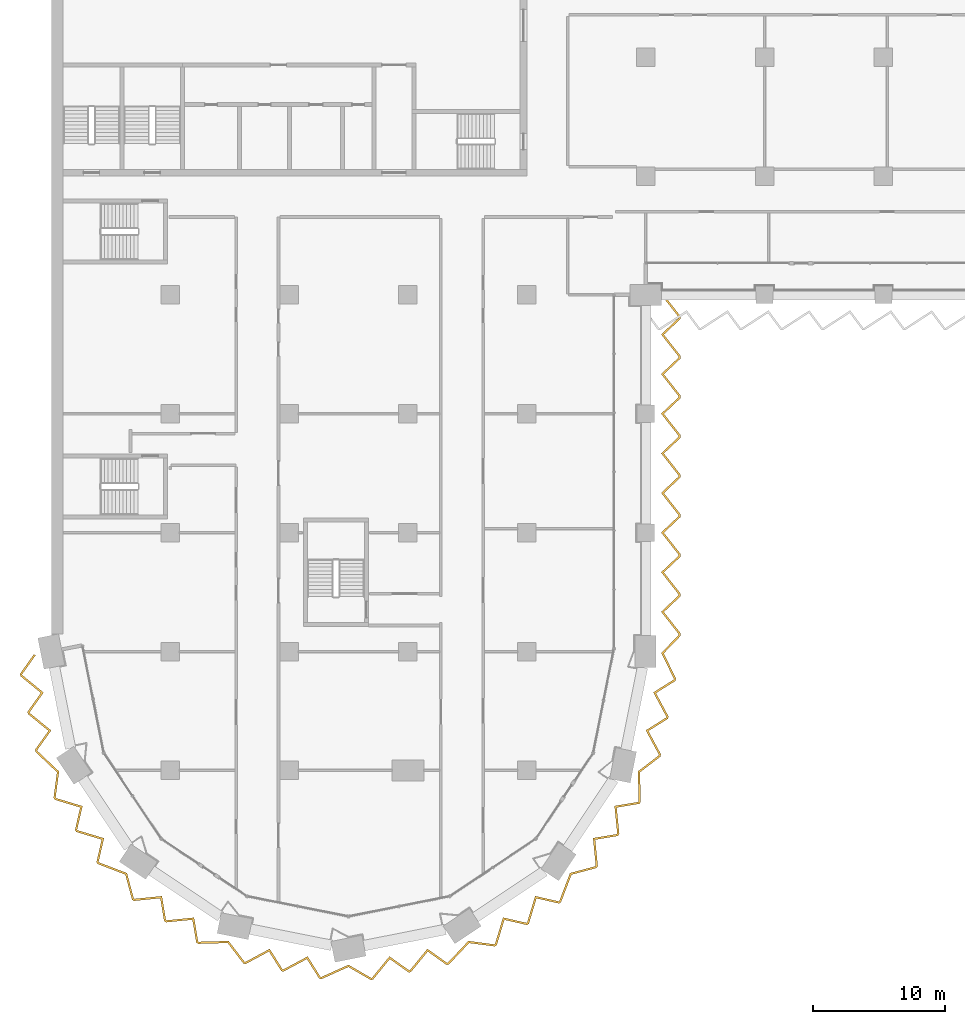
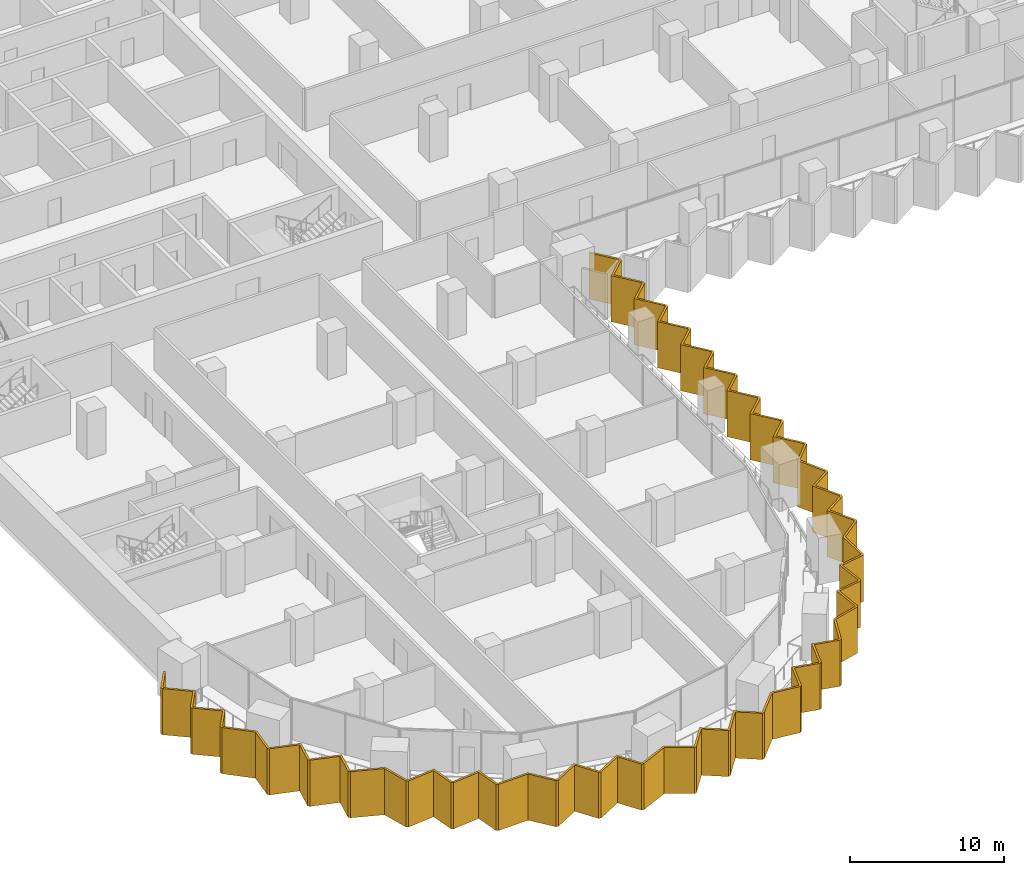
# One storey, part 24 of 29: 1 shading device.
"""IFC4 building model written with IfcOpenShell, lengths in metres."""

import ifcopenshell
import ifcopenshell.guid

model = None  # the IFC model being written
_history = None  # IfcOwnerHistory: only IFC2X3 demands one
_inside = {}  # id of a spatial element -> (the spatial element, [elements in it])
_under = {}  # id of a project, library or spatial element -> (it, [spatial elements below it])
_declared = {}  # id of a project -> (the project, [libraries it declares])
_typed = {}  # id of a type object -> (the type object, [elements of that type])
_made_of = {}  # id of a material, layer set ... -> (it, [elements and type objects made of it])


def new_model(schema):
    """Start an empty IFC model of exactly this schema.

    Asked for "IFC4X3", IfcOpenShell would pick the latest addendum, in which some entities
    have other attributes; the version numbers below select the first issue.
    IFC2X3 requires an IfcOwnerHistory on every rooted entity: one is made here for all.
    """
    global model, _history
    if schema == "IFC4X3":
        model = ifcopenshell.file(schema_version=(4, 3, 0, 0))
    else:
        model = ifcopenshell.file(schema=schema)
    _inside.clear()
    _under.clear()
    _declared.clear()
    _typed.clear()
    _made_of.clear()
    _history = None
    if model.schema == "IFC2X3":
        org = make("IfcOrganization", Name="unknown")
        user = make(
            "IfcPersonAndOrganization",
            ThePerson=make("IfcPerson", FamilyName="unknown"),
            TheOrganization=org,
        )
        app = make(
            "IfcApplication",
            ApplicationDeveloper=org,
            Version="unknown",
            ApplicationFullName="unknown",
            ApplicationIdentifier="unknown",
        )
        _history = make(
            "IfcOwnerHistory",
            OwningUser=user,
            OwningApplication=app,
            ChangeAction="ADDED",
            CreationDate=0,
        )
    return model


def make(cls, **values):
    """One entity of the class cls with the attributes given. An attribute that is None is left unset."""
    return model.create_entity(
        cls, **{name: value for name, value in values.items() if value is not None}
    )


def rooted(cls, **values):
    """An entity with a GlobalId (a new one), such as an element, a storey or a relation."""
    return make(cls, GlobalId=ifcopenshell.guid.new(), OwnerHistory=_history, **values)


def si_unit(unit_type, name, prefix=None):
    """IfcSIUnit, for example si_unit("LENGTHUNIT", "METRE", prefix="MILLI")."""
    return make("IfcSIUnit", UnitType=unit_type, Prefix=prefix, Name=name)


def assignment(units):
    """IfcUnitAssignment: the units of a project."""
    return None if units is None else make("IfcUnitAssignment", Units=units)


def point(xyz):
    """IfcCartesianPoint."""
    return None if xyz is None else make("IfcCartesianPoint", Coordinates=xyz)


def direction(xyz):
    """IfcDirection."""
    return None if xyz is None else make("IfcDirection", DirectionRatios=xyz)


def frame(location, z_axis=None, x_axis=None):
    """IfcAxis2Placement3D, a coordinate frame: its origin and axes. An axis left out is left unset."""
    return make(
        "IfcAxis2Placement3D",
        Location=point(location),
        Axis=direction(z_axis),
        RefDirection=direction(x_axis),
    )


def origin():
    """The frame at (0, 0, 0) with its axes left unset."""
    return frame((0.0, 0.0, 0.0))


def place(relative_to, where):
    """IfcLocalPlacement: puts the frame where relative to a parent placement (None: the world)."""
    return make(
        "IfcLocalPlacement", PlacementRelTo=relative_to, RelativePlacement=where
    )


def context(
    kind, dimensions, precision=None, world=None, true_north=None, identifier=None
):
    """IfcGeometricRepresentationContext, for example the 3D "Model" context."""
    return make(
        "IfcGeometricRepresentationContext",
        ContextIdentifier=identifier,
        ContextType=kind,
        CoordinateSpaceDimension=dimensions,
        Precision=precision,
        WorldCoordinateSystem=world,
        TrueNorth=true_north,
    )


def subcontext(parent, identifier, kind, view, scale=None):
    """IfcGeometricRepresentationSubContext, for example "Body" below "Model"."""
    return make(
        "IfcGeometricRepresentationSubContext",
        ContextIdentifier=identifier,
        ContextType=kind,
        ParentContext=parent,
        TargetScale=scale,
        TargetView=view,
    )


def project(units=None, contexts=None):
    """IfcProject with its units and contexts."""
    return rooted(
        "IfcProject",
        Name="project",
        RepresentationContexts=contexts,
        UnitsInContext=assignment(units),
    )


def spatial(cls, under=None, at=None, **own):
    """A site, building, storey or space (cls), placed at a placement, below another one or the project."""
    s = rooted(cls, ObjectPlacement=at, **own)
    if under is not None:
        _under.setdefault(under.id(), (under, []))[1].append(s)
    return s


def polyline(points):
    """IfcPolyline through the points."""
    return make("IfcPolyline", Points=[point(p) for p in points])


def outline(outer, holes=None, kind="AREA"):
    """IfcArbitraryClosedProfileDef: a profile drawn as a closed curve; with holes, ...WithVoids."""
    if holes is None:
        return make("IfcArbitraryClosedProfileDef", ProfileType=kind, OuterCurve=outer)
    return make(
        "IfcArbitraryProfileDefWithVoids",
        ProfileType=kind,
        OuterCurve=outer,
        InnerCurves=holes,
    )


def extrude(swept, where, along, depth):
    """IfcExtrudedAreaSolid: the profile swept, set in the frame where, extruded along a direction by depth."""
    return make(
        "IfcExtrudedAreaSolid",
        SweptArea=swept,
        Position=where,
        ExtrudedDirection=direction(along),
        Depth=depth,
    )


def shape(context_of_items, identifier, shape_type, items):
    """IfcShapeRepresentation: the items that make up one representation, for example the "Body"."""
    return make(
        "IfcShapeRepresentation",
        ContextOfItems=context_of_items,
        RepresentationIdentifier=identifier,
        RepresentationType=shape_type,
        Items=items,
    )


def material(Name=None, Category=None):
    """IfcMaterial."""
    return make("IfcMaterial", Name=Name, Category=Category)


def layer(
    of_material, thickness, ventilated=None, Name=None, Category=None, Priority=None
):
    """IfcMaterialLayer: one layer of a wall or slab, of a material (None: an air gap)."""
    return make(
        "IfcMaterialLayer",
        Material=of_material,
        LayerThickness=thickness,
        IsVentilated=ventilated,
        Name=Name,
        Category=Category,
        Priority=Priority,
    )


def layer_set(layers, Name=None):
    """IfcMaterialLayerSet."""
    return make("IfcMaterialLayerSet", MaterialLayers=layers, LayerSetName=Name)


def made_of(thing, what):
    """Note that an element or type object is made of a material, layer set ...; save() writes the relation."""
    if what is not None:
        _made_of.setdefault(what.id(), (what, []))[1].append(thing)
    return thing


def type_object(cls, material=None, **own):
    """A type object (cls), such as IfcWallType, which elements share."""
    return made_of(rooted(cls, **own), material)


def element(
    cls,
    number,
    at=None,
    inside=None,
    cuts=None,
    type_object=None,
    material=None,
    context=None,
    identifier="Body",
    shape_type=None,
    held_by="IfcProductDefinitionShape",
    body=None,
    shapes=None,
    **own,
):
    """One element of the class cls, such as IfcWall. Its Tag is "e" and its number.

    at: its placement. inside: the storey or other place that contains it. cuts: it is an
    opening in that element (IfcRelVoidsElement). A single representation is given by context,
    identifier, shape_type and body (its items); several are given by shapes. held_by: the class
    of the entity that holds the representations. save() writes the other relations.
    """
    e = rooted(cls, Tag="e%d" % number, ObjectPlacement=at, **own)
    if body is not None:
        shapes = [shape(context, identifier, shape_type, body)]
    if shapes is not None:
        e.Representation = make(held_by, Representations=shapes)
    if inside is not None:
        _inside.setdefault(inside.id(), (inside, []))[1].append(e)
    if cuts is not None:
        rooted(
            "IfcRelVoidsElement", RelatingBuildingElement=cuts, RelatedOpeningElement=e
        )
    if type_object is not None:
        _typed.setdefault(type_object.id(), (type_object, []))[1].append(e)
    return made_of(e, material)


def aggregate(whole, parts):
    """IfcRelAggregates: a whole, such as a stair, and the parts it consists of."""
    return rooted("IfcRelAggregates", RelatingObject=whole, RelatedObjects=parts)


def save(model, path):
    """Write the relations noted so far, then the file.

    IfcRelAggregates (storeys below a building ...), IfcRelContainedInSpatialStructure (elements
    in a storey), IfcRelDefinesByType, IfcRelAssociatesMaterial and IfcRelDeclares: one each for
    every whole, place, type object, material and project.
    """
    for whole, parts in _under.values():
        aggregate(whole, parts)
    for where, things in _inside.values():
        rooted(
            "IfcRelContainedInSpatialStructure",
            RelatedElements=things,
            RelatingStructure=where,
        )
    for kind, things in _typed.values():
        rooted("IfcRelDefinesByType", RelatedObjects=things, RelatingType=kind)
    for what, things in _made_of.values():
        rooted("IfcRelAssociatesMaterial", RelatedObjects=things, RelatingMaterial=what)
    for by, libraries in _declared.values():
        rooted("IfcRelDeclares", RelatingContext=by, RelatedDefinitions=libraries)
    model.write(path)


model = new_model("IFC4")

# Units and contexts
model_context = context("Model", 3, precision=1e-05, world=origin(), true_north=direction((0.0, 1.0)))
body_context = subcontext(model_context, "Body", "Model", "MODEL_VIEW")
ifc_project = project(units=[si_unit("LENGTHUNIT", "METRE"), si_unit("AREAUNIT", "SQUARE_METRE"), si_unit("VOLUMEUNIT", "CUBIC_METRE"), si_unit("PLANEANGLEUNIT", "RADIAN"), si_unit("MASSUNIT", "GRAM", prefix="KILO")], contexts=[model_context])

# Site, building, storey
site_placement = place(None, origin())
site = spatial("IfcSite", under=ifc_project, at=site_placement, CompositionType="ELEMENT")
building_placement = place(site_placement, origin())
building = spatial("IfcBuilding", under=site, at=building_placement, Name="Hunhe Ridgeline Campus", CompositionType="ELEMENT")
storey_placement = place(building_placement, frame((0.0, 0.0, 69.10009765625)))
storey = spatial("IfcBuildingStorey", under=building, at=storey_placement, Name="L16", CompositionType="ELEMENT", Elevation=69.10009765625)

# Shading device
ifc_material = material(Name="Concrete C50", Category="concrete")
ifc_layer = layer(ifc_material, 0.14990234375)
ifc_layer_set = layer_set([ifc_layer], Name="Sawtooth concrete fin 150 Concrete C50")
shading_device_type = type_object("IfcShadingDeviceType", Name="Sawtooth concrete fin 150 Concrete C50", PredefinedType="USERDEFINED", material=ifc_layer_set)
shading_device_placement = place(storey_placement, frame((0.0, 0.0, -0.9501953125)))
element("IfcShadingDevice", 1, at=shading_device_placement, inside=storey, type_object=shading_device_type, Name="Concrete fin screen 1", ObjectType="FIN", PredefinedType="USERDEFINED", context=body_context, shape_type="SweptSolid", body=[
    extrude(outline(polyline([(-1.189453125, 26.707763671875), (-1.3115234375, 26.794677734375), (-2.3662109375, 25.312255859375), (-2.331298828125, 25.136474609375), (-0.78125, 23.867431640625), (-1.795166015625, 22.442138671875), (-1.76025390625, 22.266357421875), (-0.21044921875, 20.997314453125), (-1.224365234375, 19.572021484375), (-1.18994140625, 19.399169921875), (0.432373046875, 17.864013671875), (0.1748046875, 15.92138671875), (0.272216796875, 15.775634765625), (2.189697265625, 15.196533203125), (1.79833984375, 13.49169921875), (1.89794921875, 13.342529296875), (3.8154296875, 12.763427734375), (3.424072265625, 11.058349609375), (3.52197265625, 10.911865234375), (5.6083984375, 10.114501953125), (6.11376953125, 8.22119140625), (6.259521484375, 8.123779296875), (8.252685546875, 8.322509765625), (8.543701171875, 6.59765625), (8.692626953125, 6.498046875), (10.685791015625, 6.69677734375), (10.976806640625, 4.971923828125), (11.123291015625, 4.8740234375), (13.35595703125, 4.935546875), (14.54736328125, 3.3798828125), (14.71923828125, 3.345703125), (16.484619140625, 4.2919921875), (17.41357421875, 2.809814453125), (17.58935546875, 2.77490234375), (19.354736328125, 3.72119140625), (20.28369140625, 2.239013671875), (20.45654296875, 2.20458984375), (22.49560546875, 3.115966796875), (24.19189453125, 2.134521484375), (24.363525390625, 2.168701171875), (25.632568359375, 3.71875), (27.057861328125, 2.704833984375), (27.233642578125, 2.73974609375), (28.502685546875, 4.28955078125), (29.927978515625, 3.275634765625), (30.100830078125, 3.31005859375), (31.635986328125, 4.932373046875), (33.57861328125, 4.6748046875), (33.724365234375, 4.772216796875), (34.303466796875, 6.689697265625), (36.00830078125, 6.29833984375), (36.157470703125, 6.39794921875), (36.736572265625, 8.3154296875), (38.441650390625, 7.924072265625), (38.588134765625, 8.02197265625), (39.385498046875, 10.1083984375), (41.27880859375, 10.61376953125), (41.376220703125, 10.759521484375), (41.177490234375, 12.752685546875), (42.90234375, 13.043701171875), (43.001953125, 13.192626953125), (42.80322265625, 15.185791015625), (44.528076171875, 15.476806640625), (44.6259765625, 15.623291015625), (44.564453125, 17.85595703125), (46.1201171875, 19.04736328125), (46.154296875, 19.21923828125), (45.2080078125, 20.984619140625), (46.690185546875, 21.91357421875), (46.72509765625, 22.08935546875), (45.77880859375, 23.854736328125), (47.260986328125, 24.78369140625), (47.295654296875, 24.9580078125), (46.365478515625, 26.8603515625), (47.64990234375, 28.19580078125), (47.64990234375, 28.3720703125), (46.376220703125, 29.992431640625), (47.64990234375, 31.19384765625), (47.64990234375, 31.3720703125), (46.376220703125, 32.992431640625), (47.64990234375, 34.19384765625), (47.64990234375, 34.3720703125), (46.376220703125, 35.992431640625), (47.64990234375, 37.19384765625), (47.64990234375, 37.3720703125), (46.376220703125, 38.992431640625), (47.64990234375, 40.19384765625), (47.64990234375, 40.3720703125), (46.376220703125, 41.992431640625), (47.64990234375, 43.19384765625), (47.64990234375, 43.3720703125), (46.376220703125, 44.992431640625), (47.64990234375, 46.19384765625), (47.64990234375, 46.3720703125), (46.376220703125, 47.992431640625), (47.64990234375, 49.19384765625), (47.64990234375, 49.3720703125), (46.376220703125, 50.992431640625), (47.64990234375, 52.19384765625), (47.64990234375, 52.3720703125), (46.333984375, 54.04638671875), (46.216064453125, 53.95361328125), (47.5, 52.320068359375), (47.5, 52.258544921875), (46.173583984375, 51.007568359375), (47.5, 49.320068359375), (47.5, 49.258544921875), (46.173583984375, 48.007568359375), (47.5, 46.320068359375), (47.5, 46.258544921875), (46.173583984375, 45.007568359375), (47.5, 43.320068359375), (47.5, 43.258544921875), (46.173583984375, 42.007568359375), (47.5, 40.320068359375), (47.5, 40.258544921875), (46.173583984375, 39.007568359375), (47.5, 37.320068359375), (47.5, 37.258544921875), (46.173583984375, 36.007568359375), (47.5, 34.320068359375), (47.5, 34.258544921875), (46.173583984375, 33.007568359375), (47.5, 31.320068359375), (47.5, 31.258544921875), (46.173583984375, 30.007568359375), (47.5, 28.320068359375), (47.5, 28.25634765625), (46.1845703125, 26.888671875), (47.138671875, 24.9375), (47.12646484375, 24.87646484375), (45.580322265625, 23.907470703125), (46.567626953125, 22.06591796875), (46.5556640625, 22.00634765625), (45.009521484375, 21.037353515625), (45.99658203125, 19.19580078125), (45.98388671875, 19.132080078125), (44.412353515625, 17.928466796875), (44.474853515625, 15.6669921875), (44.439453125, 15.614013671875), (42.64013671875, 15.310302734375), (42.847412109375, 13.231201171875), (42.8134765625, 13.1806640625), (41.01416015625, 12.877197265625), (41.221435546875, 10.798095703125), (41.185546875, 10.744140625), (39.272705078125, 10.2333984375), (38.465087890625, 8.1201171875), (38.412109375, 8.084716796875), (36.633544921875, 8.492919921875), (36.029296875, 6.49267578125), (35.978759765625, 6.458984375), (34.200439453125, 6.8671875), (33.59619140625, 4.866943359375), (33.542236328125, 4.8310546875), (31.579833984375, 5.091064453125), (30.02490234375, 3.44775390625), (29.96240234375, 3.435302734375), (28.475341796875, 4.4931640625), (27.15185546875, 2.876220703125), (27.092041015625, 2.864501953125), (25.605224609375, 3.922119140625), (24.28173828125, 2.305419921875), (24.218017578125, 2.292724609375), (22.50439453125, 3.2841796875), (20.43896484375, 2.361083984375), (20.37646484375, 2.37353515625), (19.407470703125, 3.919677734375), (17.56591796875, 2.932373046875), (17.50634765625, 2.9443359375), (16.537353515625, 4.490478515625), (14.69580078125, 3.50341796875), (14.632080078125, 3.51611328125), (13.428466796875, 5.087646484375), (11.1669921875, 5.025146484375), (11.114013671875, 5.060546875), (10.810302734375, 6.85986328125), (8.731201171875, 6.652587890625), (8.6806640625, 6.6865234375), (8.377197265625, 8.48583984375), (6.298095703125, 8.278564453125), (6.244140625, 8.314453125), (5.7333984375, 10.227294921875), (3.6201171875, 11.034912109375), (3.584716796875, 11.087890625), (3.992919921875, 12.866455078125), (1.99267578125, 13.470703125), (1.958984375, 13.521240234375), (2.3671875, 15.299560546875), (0.366943359375, 15.90380859375), (0.3310546875, 15.957763671875), (0.591064453125, 17.920166015625), (-1.05224609375, 19.47509765625), (-1.064697265625, 19.53759765625), (-0.0068359375, 21.024658203125), (-1.623779296875, 22.34814453125), (-1.635498046875, 22.407958984375), (-0.577880859375, 23.894775390625), (-2.194580078125, 25.21826171875), (-2.20654296875, 25.278076171875), (-1.189453125, 26.707763671875)])), origin(), (0.0, 0.0, 1.0), 3.650146484375),
])

save(model, "model.ifc")
